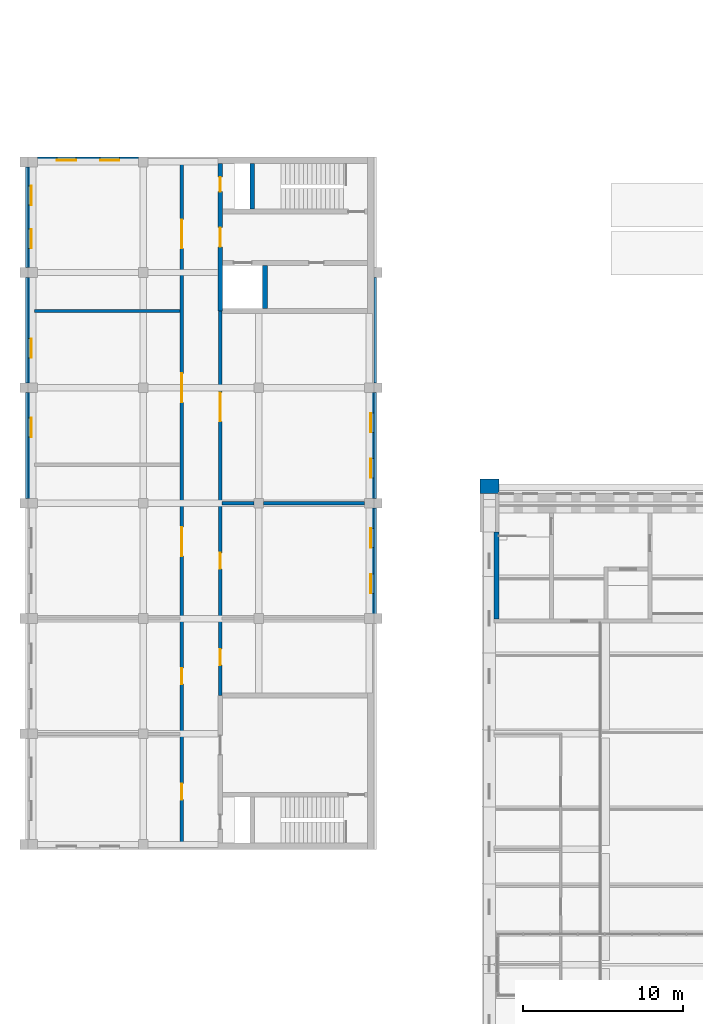
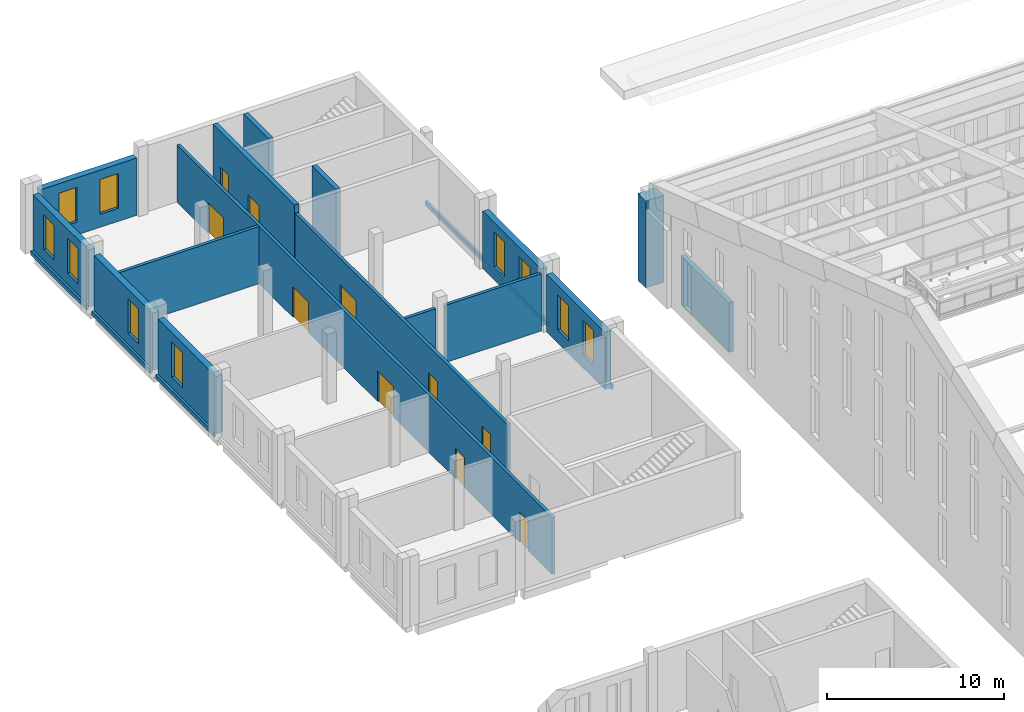
# One storey, part 130 of 149: 22 walls, 10 doors, 10 windows, 20 openings.
"""IFC4 building model written with IfcOpenShell, lengths in metres."""

from ifc_helpers import new_model, si_unit, direction, frame, frame_2d, origin, place, context, subcontext, project, spatial, rectangle, extrude, material, layer, layer_set, type_object, element, fill, save


model = new_model("IFC4")

# Units and contexts
model_context = context("Model", 3, precision=1e-05, world=origin(), true_north=direction((0.0, 1.0)))
body_context = subcontext(model_context, "Body", "Model", "MODEL_VIEW")
ifc_project = project(units=[si_unit("LENGTHUNIT", "METRE"), si_unit("AREAUNIT", "SQUARE_METRE"), si_unit("VOLUMEUNIT", "CUBIC_METRE"), si_unit("PLANEANGLEUNIT", "RADIAN"), si_unit("MASSUNIT", "GRAM", prefix="KILO")], contexts=[model_context])

# Site, building, storey
site_placement = place(None, origin())
site = spatial("IfcSite", under=ifc_project, at=site_placement, CompositionType="ELEMENT")
building_placement = place(site_placement, origin())
building = spatial("IfcBuilding", under=site, at=building_placement, Name="Alderwick Market Hall", CompositionType="ELEMENT")
storey_placement = place(building_placement, frame((0.0, 0.0, 9.60009765625)))
storey = spatial("IfcBuildingStorey", under=building, at=storey_placement, Name="L01", CompositionType="ELEMENT", Elevation=9.60009765625)

# Wall, openings, windows
ifc_material_1 = material(Name="Face brick", Category="masonry")
ifc_layer_1 = layer(ifc_material_1, 0.39990234375)
ifc_layer_set_1 = layer_set([ifc_layer_1], Name="Face brick")
wall_type_1 = type_object("IfcWallType", Name="B Brick Cavity Wall 400", PredefinedType="SOLIDWALL", material=ifc_layer_set_1)
wall_1_placement = place(storey_placement, frame((22.199951171875, 129.39990234375, 0.0), z_axis=(0.0, 0.0, 1.0), x_axis=(1.0, 0.0, 0.0)))
wall_1 = element("IfcWall", 1, at=wall_1_placement, inside=storey, type_object=wall_type_1, Name="B.N.wall.L01.017", PredefinedType="SOLIDWALL", context=body_context, shape_type="SweptSolid", body=[
    extrude(rectangle(XDim=6.300048828125, YDim=0.39990234375, at=frame_2d((3.14990234375, 0.0))), origin(), (0.0, 0.0, 1.0), 3.949951171875),
])
opening_1_placement = place(wall_1_placement, frame((1.199951171875, 0.0, 0.89990234375)))
opening_1 = element("IfcOpeningElement", 2, at=opening_1_placement, cuts=wall_1, Name="Opening B-W032", PredefinedType="OPENING", context=body_context, shape_type="SweptSolid", body=[
    extrude(rectangle(XDim=1.199951171875, YDim=2.39990234375, at=frame_2d((0.60009765625, 1.199951171875))), frame((0.0, 0.2099609375, 0.0), z_axis=(0.0, -1.0, 0.0), x_axis=(1.0, 0.0, 0.0)), (0.0, 0.0, 1.0), 0.419921875),
])
opening_2_placement = place(wall_1_placement, frame((3.89990234375, 0.0, 0.89990234375)))
opening_2 = element("IfcOpeningElement", 3, at=opening_2_placement, cuts=wall_1, Name="Opening B-W033", PredefinedType="OPENING", context=body_context, shape_type="SweptSolid", body=[
    extrude(rectangle(XDim=1.199951171875, YDim=2.39990234375, at=frame_2d((0.60009765625, 1.199951171875))), frame((0.0, 0.2099609375, 0.0), z_axis=(0.0, -1.0, 0.0), x_axis=(1.0, 0.0, 0.0)), (0.0, 0.0, 1.0), 0.419921875),
])
ifc_material_2 = material(Name="Aluminium frame", Category="aluminium")
window_type = type_object("IfcWindowType", Name="B Piano Nobile Window 1200x2400", PartitioningType="SINGLE_PANEL", PredefinedType="WINDOW", material=ifc_material_2)
window_1_placement = place(opening_1_placement, origin())
window_1 = element("IfcWindow", 4, at=window_1_placement, inside=storey, type_object=window_type, Name="Window B-W032", OverallHeight=2.39990234375, OverallWidth=1.199951171875, PartitioningType="SINGLE_PANEL", PredefinedType="WINDOW", context=body_context, shape_type="SweptSolid", body=[
    extrude(rectangle(XDim=1.199951171875, YDim=2.39990234375, at=frame_2d((0.60009765625, 1.199951171875))), frame((0.0, 0.030029296875, 0.0), z_axis=(0.0, -1.0, 0.0), x_axis=(1.0, 0.0, 0.0)), (0.0, 0.0, 1.0), 0.06005859375),
])
fill(opening_1, window_1)
window_2_placement = place(opening_2_placement, origin())
window_2 = element("IfcWindow", 5, at=window_2_placement, inside=storey, type_object=window_type, Name="Window B-W033", OverallHeight=2.39990234375, OverallWidth=1.199951171875, PartitioningType="SINGLE_PANEL", PredefinedType="WINDOW", context=body_context, shape_type="SweptSolid", body=[
    extrude(rectangle(XDim=1.199951171875, YDim=2.39990234375, at=frame_2d((0.60009765625, 1.199951171875))), frame((0.0, 0.030029296875, 0.0), z_axis=(0.0, -1.0, 0.0), x_axis=(1.0, 0.0, 0.0)), (0.0, 0.0, 1.0), 0.06005859375),
])
fill(opening_2, window_2)

# Wall, opening, window
wall_2_placement = place(storey_placement, frame((21.800048828125, 108.300048828125, 0.0), z_axis=(0.0, 0.0, 1.0), x_axis=(0.0, 1.0, 0.0)))
wall_2 = element("IfcWall", 6, at=wall_2_placement, inside=storey, type_object=wall_type_1, Name="B.N.wall.L01.022", PredefinedType="SOLIDWALL", context=body_context, shape_type="SweptSolid", body=[
    extrude(rectangle(XDim=6.599853515625, YDim=0.39990234375, at=frame_2d((3.2998046875, 0.0))), origin(), (0.0, 0.0, 1.0), 3.949951171875),
])
opening_3_placement = place(wall_2_placement, frame((3.824951171875, 0.0, 0.89990234375)))
opening_3 = element("IfcOpeningElement", 7, at=opening_3_placement, cuts=wall_2, Name="Opening B-W040", PredefinedType="OPENING", context=body_context, shape_type="SweptSolid", body=[
    extrude(rectangle(XDim=1.199951171875, YDim=2.39990234375, at=frame_2d((0.60009765625, 1.199951171875))), frame((0.0, 0.2099609375, 0.0), z_axis=(0.0, -1.0, 0.0), x_axis=(1.0, 0.0, 0.0)), (0.0, 0.0, 1.0), 0.419921875),
])
window_3_placement = place(opening_3_placement, origin())
window_3 = element("IfcWindow", 8, at=window_3_placement, inside=storey, type_object=window_type, Name="Window B-W040", OverallHeight=2.39990234375, OverallWidth=1.199951171875, PartitioningType="SINGLE_PANEL", PredefinedType="WINDOW", context=body_context, shape_type="SweptSolid", body=[
    extrude(rectangle(XDim=1.199951171875, YDim=2.39990234375, at=frame_2d((0.60009765625, 1.199951171875))), frame((0.0, 0.030029296875, 0.0), z_axis=(0.0, -1.0, 0.0), x_axis=(1.0, 0.0, 0.0)), (0.0, 0.0, 1.0), 0.06005859375),
])
fill(opening_3, window_3)

wall_3_placement = place(storey_placement, frame((21.800048828125, 115.5, 0.0), z_axis=(0.0, 0.0, 1.0), x_axis=(0.0, 1.0, 0.0)))
wall_3 = element("IfcWall", 9, at=wall_3_placement, inside=storey, type_object=wall_type_1, Name="B.N.wall.L01.023", PredefinedType="SOLIDWALL", context=body_context, shape_type="SweptSolid", body=[
    extrude(rectangle(XDim=6.60009765625, YDim=0.39990234375, at=frame_2d((3.300048828125, 0.0))), origin(), (0.0, 0.0, 1.0), 3.949951171875),
])
opening_4_placement = place(wall_3_placement, frame((1.574951171875, 0.0, 0.89990234375)))
opening_4 = element("IfcOpeningElement", 10, at=opening_4_placement, cuts=wall_3, Name="Opening B-W041", PredefinedType="OPENING", context=body_context, shape_type="SweptSolid", body=[
    extrude(rectangle(XDim=1.199951171875, YDim=2.39990234375, at=frame_2d((0.60009765625, 1.199951171875))), frame((0.0, 0.2099609375, 0.0), z_axis=(0.0, -1.0, 0.0), x_axis=(1.0, 0.0, 0.0)), (0.0, 0.0, 1.0), 0.419921875),
])
window_4_placement = place(opening_4_placement, origin())
window_4 = element("IfcWindow", 11, at=window_4_placement, inside=storey, type_object=window_type, Name="Window B-W041", OverallHeight=2.39990234375, OverallWidth=1.199951171875, PartitioningType="SINGLE_PANEL", PredefinedType="WINDOW", context=body_context, shape_type="SweptSolid", body=[
    extrude(rectangle(XDim=1.199951171875, YDim=2.39990234375, at=frame_2d((0.60009765625, 1.199951171875))), frame((0.0, 0.030029296875, 0.0), z_axis=(0.0, -1.0, 0.0), x_axis=(1.0, 0.0, 0.0)), (0.0, 0.0, 1.0), 0.06005859375),
])
fill(opening_4, window_4)

# Wall, openings, windows
wall_4_placement = place(storey_placement, frame((21.800048828125, 122.699951171875, 0.0), z_axis=(0.0, 0.0, 1.0), x_axis=(0.0, 1.0, 0.0)))
wall_4 = element("IfcWall", 12, at=wall_4_placement, inside=storey, type_object=wall_type_1, Name="B.N.wall.L01.024", PredefinedType="SOLIDWALL", context=body_context, shape_type="SweptSolid", body=[
    extrude(rectangle(XDim=6.300048828125, YDim=0.39990234375, at=frame_2d((3.14990234375, 0.0))), origin(), (0.0, 0.0, 1.0), 3.949951171875),
])
opening_5_placement = place(wall_4_placement, frame((1.199951171875, 0.0, 0.89990234375)))
opening_5 = element("IfcOpeningElement", 13, at=opening_5_placement, cuts=wall_4, Name="Opening B-W042", PredefinedType="OPENING", context=body_context, shape_type="SweptSolid", body=[
    extrude(rectangle(XDim=1.199951171875, YDim=2.39990234375, at=frame_2d((0.60009765625, 1.199951171875))), frame((0.0, 0.2099609375, 0.0), z_axis=(0.0, -1.0, 0.0), x_axis=(1.0, 0.0, 0.0)), (0.0, 0.0, 1.0), 0.419921875),
])
opening_6_placement = place(wall_4_placement, frame((3.89990234375, 0.0, 0.89990234375)))
opening_6 = element("IfcOpeningElement", 14, at=opening_6_placement, cuts=wall_4, Name="Opening B-W043", PredefinedType="OPENING", context=body_context, shape_type="SweptSolid", body=[
    extrude(rectangle(XDim=1.199951171875, YDim=2.39990234375, at=frame_2d((0.60009765625, 1.199951171875))), frame((0.0, 0.2099609375, 0.0), z_axis=(0.0, -1.0, 0.0), x_axis=(1.0, 0.0, 0.0)), (0.0, 0.0, 1.0), 0.419921875),
])
window_5_placement = place(opening_5_placement, origin())
window_5 = element("IfcWindow", 15, at=window_5_placement, inside=storey, type_object=window_type, Name="Window B-W042", OverallHeight=2.39990234375, OverallWidth=1.199951171875, PartitioningType="SINGLE_PANEL", PredefinedType="WINDOW", context=body_context, shape_type="SweptSolid", body=[
    extrude(rectangle(XDim=1.199951171875, YDim=2.39990234375, at=frame_2d((0.60009765625, 1.199951171875))), frame((0.0, 0.030029296875, 0.0), z_axis=(0.0, -1.0, 0.0), x_axis=(1.0, 0.0, 0.0)), (0.0, 0.0, 1.0), 0.06005859375),
])
fill(opening_5, window_5)
window_6_placement = place(opening_6_placement, origin())
window_6 = element("IfcWindow", 16, at=window_6_placement, inside=storey, type_object=window_type, Name="Window B-W043", OverallHeight=2.39990234375, OverallWidth=1.199951171875, PartitioningType="SINGLE_PANEL", PredefinedType="WINDOW", context=body_context, shape_type="SweptSolid", body=[
    extrude(rectangle(XDim=1.199951171875, YDim=2.39990234375, at=frame_2d((0.60009765625, 1.199951171875))), frame((0.0, 0.030029296875, 0.0), z_axis=(0.0, -1.0, 0.0), x_axis=(1.0, 0.0, 0.0)), (0.0, 0.0, 1.0), 0.06005859375),
])
fill(opening_6, window_6)

wall_5_placement = place(storey_placement, frame((43.0, 101.10009765625, 0.0), z_axis=(0.0, 0.0, 1.0), x_axis=(0.0, 1.0, 0.0)))
wall_5 = element("IfcWall", 17, at=wall_5_placement, inside=storey, type_object=wall_type_1, Name="B.N.wall.L01.033", PredefinedType="SOLIDWALL", context=body_context, shape_type="SweptSolid", body=[
    extrude(rectangle(XDim=6.599853515625, YDim=0.39990234375, at=frame_2d((3.2998046875, 0.0))), origin(), (0.0, 0.0, 1.0), 3.949951171875),
])
opening_7_placement = place(wall_5_placement, frame((1.27490234375, 0.0, 0.89990234375)))
opening_7 = element("IfcOpeningElement", 18, at=opening_7_placement, cuts=wall_5, Name="Opening B-W044", PredefinedType="OPENING", context=body_context, shape_type="SweptSolid", body=[
    extrude(rectangle(XDim=1.199951171875, YDim=2.39990234375, at=frame_2d((0.60009765625, 1.199951171875))), frame((0.0, 0.2099609375, 0.0), z_axis=(0.0, -1.0, 0.0), x_axis=(1.0, 0.0, 0.0)), (0.0, 0.0, 1.0), 0.419921875),
])
opening_8_placement = place(wall_5_placement, frame((4.125, 0.0, 0.89990234375)))
opening_8 = element("IfcOpeningElement", 19, at=opening_8_placement, cuts=wall_5, Name="Opening B-W045", PredefinedType="OPENING", context=body_context, shape_type="SweptSolid", body=[
    extrude(rectangle(XDim=1.199951171875, YDim=2.39990234375, at=frame_2d((0.60009765625, 1.199951171875))), frame((0.0, 0.2099609375, 0.0), z_axis=(0.0, -1.0, 0.0), x_axis=(1.0, 0.0, 0.0)), (0.0, 0.0, 1.0), 0.419921875),
])
window_7_placement = place(opening_7_placement, origin())
window_7 = element("IfcWindow", 20, at=window_7_placement, inside=storey, type_object=window_type, Name="Window B-W044", OverallHeight=2.39990234375, OverallWidth=1.199951171875, PartitioningType="SINGLE_PANEL", PredefinedType="WINDOW", context=body_context, shape_type="SweptSolid", body=[
    extrude(rectangle(XDim=1.199951171875, YDim=2.39990234375, at=frame_2d((0.60009765625, 1.199951171875))), frame((0.0, 0.030029296875, 0.0), z_axis=(0.0, -1.0, 0.0), x_axis=(1.0, 0.0, 0.0)), (0.0, 0.0, 1.0), 0.06005859375),
])
fill(opening_7, window_7)
window_8_placement = place(opening_8_placement, origin())
window_8 = element("IfcWindow", 21, at=window_8_placement, inside=storey, type_object=window_type, Name="Window B-W045", OverallHeight=2.39990234375, OverallWidth=1.199951171875, PartitioningType="SINGLE_PANEL", PredefinedType="WINDOW", context=body_context, shape_type="SweptSolid", body=[
    extrude(rectangle(XDim=1.199951171875, YDim=2.39990234375, at=frame_2d((0.60009765625, 1.199951171875))), frame((0.0, 0.030029296875, 0.0), z_axis=(0.0, -1.0, 0.0), x_axis=(1.0, 0.0, 0.0)), (0.0, 0.0, 1.0), 0.06005859375),
])
fill(opening_8, window_8)

wall_6_placement = place(storey_placement, frame((43.0, 108.300048828125, 0.0), z_axis=(0.0, 0.0, 1.0), x_axis=(0.0, 1.0, 0.0)))
wall_6 = element("IfcWall", 22, at=wall_6_placement, inside=storey, type_object=wall_type_1, Name="B.N.wall.L01.034", PredefinedType="SOLIDWALL", context=body_context, shape_type="SweptSolid", body=[
    extrude(rectangle(XDim=6.599853515625, YDim=0.39990234375, at=frame_2d((3.2998046875, 0.0))), origin(), (0.0, 0.0, 1.0), 3.949951171875),
])
opening_9_placement = place(wall_6_placement, frame((1.27490234375, 0.0, 0.89990234375)))
opening_9 = element("IfcOpeningElement", 23, at=opening_9_placement, cuts=wall_6, Name="Opening B-W046", PredefinedType="OPENING", context=body_context, shape_type="SweptSolid", body=[
    extrude(rectangle(XDim=1.199951171875, YDim=2.39990234375, at=frame_2d((0.60009765625, 1.199951171875))), frame((0.0, 0.2099609375, 0.0), z_axis=(0.0, -1.0, 0.0), x_axis=(1.0, 0.0, 0.0)), (0.0, 0.0, 1.0), 0.419921875),
])
opening_10_placement = place(wall_6_placement, frame((4.125, 0.0, 0.89990234375)))
opening_10 = element("IfcOpeningElement", 24, at=opening_10_placement, cuts=wall_6, Name="Opening B-W047", PredefinedType="OPENING", context=body_context, shape_type="SweptSolid", body=[
    extrude(rectangle(XDim=1.199951171875, YDim=2.39990234375, at=frame_2d((0.60009765625, 1.199951171875))), frame((0.0, 0.2099609375, 0.0), z_axis=(0.0, -1.0, 0.0), x_axis=(1.0, 0.0, 0.0)), (0.0, 0.0, 1.0), 0.419921875),
])
window_9_placement = place(opening_9_placement, origin())
window_9 = element("IfcWindow", 25, at=window_9_placement, inside=storey, type_object=window_type, Name="Window B-W046", OverallHeight=2.39990234375, OverallWidth=1.199951171875, PartitioningType="SINGLE_PANEL", PredefinedType="WINDOW", context=body_context, shape_type="SweptSolid", body=[
    extrude(rectangle(XDim=1.199951171875, YDim=2.39990234375, at=frame_2d((0.60009765625, 1.199951171875))), frame((0.0, 0.030029296875, 0.0), z_axis=(0.0, -1.0, 0.0), x_axis=(1.0, 0.0, 0.0)), (0.0, 0.0, 1.0), 0.06005859375),
])
fill(opening_9, window_9)
window_10_placement = place(opening_10_placement, origin())
window_10 = element("IfcWindow", 26, at=window_10_placement, inside=storey, type_object=window_type, Name="Window B-W047", OverallHeight=2.39990234375, OverallWidth=1.199951171875, PartitioningType="SINGLE_PANEL", PredefinedType="WINDOW", context=body_context, shape_type="SweptSolid", body=[
    extrude(rectangle(XDim=1.199951171875, YDim=2.39990234375, at=frame_2d((0.60009765625, 1.199951171875))), frame((0.0, 0.030029296875, 0.0), z_axis=(0.0, -1.0, 0.0), x_axis=(1.0, 0.0, 0.0)), (0.0, 0.0, 1.0), 0.06005859375),
])
fill(opening_10, window_10)

# Walls
ifc_material_3 = material(Name="Cast stone 5000 psi", Category="masonry")
ifc_layer_2 = layer(ifc_material_3, 0.14990234375)
ifc_layer_set_2 = layer_set([ifc_layer_2], Name="Cast stone 5000 psi")
wall_type_2 = type_object("IfcWallType", Name="B Cast Stone String Course 150", PredefinedType="SOLIDWALL", material=ifc_layer_set_2)
wall_7_placement = place(storey_placement, frame((21.52490234375, 108.300048828125, -0.150146484375), z_axis=(0.0, 0.0, 1.0), x_axis=(0.0, 1.0, 0.0)))
element("IfcWall", 27, at=wall_7_placement, inside=storey, type_object=wall_type_2, Name="B.N.string.W.04", PredefinedType="SOLIDWALL", context=body_context, shape_type="SweptSolid", body=[
    extrude(rectangle(XDim=6.599853515625, YDim=0.14990234375, at=frame_2d((3.2998046875, 0.0))), origin(), (0.0, 0.0, 1.0), 0.300048828125),
])
wall_8_placement = place(storey_placement, frame((21.52490234375, 115.5, -0.150146484375), z_axis=(0.0, 0.0, 1.0), x_axis=(0.0, 1.0, 0.0)))
element("IfcWall", 28, at=wall_8_placement, inside=storey, type_object=wall_type_2, Name="B.N.string.W.05", PredefinedType="SOLIDWALL", context=body_context, shape_type="SweptSolid", body=[
    extrude(rectangle(XDim=6.60009765625, YDim=0.14990234375, at=frame_2d((3.300048828125, 0.0))), origin(), (0.0, 0.0, 1.0), 0.300048828125),
])
wall_9_placement = place(storey_placement, frame((21.52490234375, 122.699951171875, -0.150146484375), z_axis=(0.0, 0.0, 1.0), x_axis=(0.0, 1.0, 0.0)))
element("IfcWall", 29, at=wall_9_placement, inside=storey, type_object=wall_type_2, Name="B.N.string.W.06", PredefinedType="SOLIDWALL", context=body_context, shape_type="SweptSolid", body=[
    extrude(rectangle(XDim=6.300048828125, YDim=0.14990234375, at=frame_2d((3.14990234375, 0.0))), origin(), (0.0, 0.0, 1.0), 0.300048828125),
])
for number, where, z_axis, x_axis, name in (
    (30, (43.27490234375, 101.10009765625, -0.150146484375), (0.0, 0.0, 1.0), (0.0, 1.0, 0.0), "B.N.string.E.01"),
    (31, (43.27490234375, 108.300048828125, -0.150146484375), (0.0, 0.0, 1.0), (0.0, 1.0, 0.0), "B.N.string.E.02"),
):
    element("IfcWall", number, at=place(storey_placement, frame(where, z_axis=z_axis, x_axis=x_axis)), inside=storey, type_object=wall_type_2, Name=name, PredefinedType="SOLIDWALL", context=body_context, shape_type="SweptSolid", body=[
        extrude(rectangle(XDim=6.599853515625, YDim=0.14990234375, at=frame_2d((3.2998046875, 0.0))), origin(), (0.0, 0.0, 1.0), 0.300048828125),
    ])
wall_10_placement = place(storey_placement, frame((43.27490234375, 115.5, -0.150146484375), z_axis=(0.0, 0.0, 1.0), x_axis=(0.0, 1.0, 0.0)))
element("IfcWall", 32, at=wall_10_placement, inside=storey, type_object=wall_type_2, Name="B.N.string.E.03", PredefinedType="SOLIDWALL", context=body_context, shape_type="SweptSolid", body=[
    extrude(rectangle(XDim=6.60009765625, YDim=0.14990234375, at=frame_2d((3.300048828125, 0.0))), origin(), (0.0, 0.0, 1.0), 0.300048828125),
])
ifc_material_4 = material(Name="Concrete masonry 3000 psi", Category="masonry")
ifc_layer_3 = layer(ifc_material_4, 0.199951171875)
ifc_layer_set_3 = layer_set([ifc_layer_3], Name="Concrete masonry 3000 psi")
wall_type_3 = type_object("IfcWallType", Name="B Masonry Partition 200", PredefinedType="PARTITIONING", material=ifc_layer_set_3)
wall_11_placement = place(storey_placement, frame((33.699951171875, 108.0, 0.0), z_axis=(0.0, 0.0, 1.0), x_axis=(1.0, 0.0, 0.0)))
element("IfcWall", 33, at=wall_11_placement, inside=storey, type_object=wall_type_3, Name="B.N.wall.L01.010", PredefinedType="PARTITIONING", context=body_context, shape_type="SweptSolid", body=[
    extrude(rectangle(XDim=2.0, YDim=0.199951171875, at=frame_2d((1.0, 0.0))), origin(), (0.0, 0.0, 1.0), 3.949951171875),
])
wall_12_placement = place(storey_placement, frame((36.300048828125, 108.0, 0.0), z_axis=(0.0, 0.0, 1.0), x_axis=(1.0, 0.0, 0.0)))
element("IfcWall", 34, at=wall_12_placement, inside=storey, type_object=wall_type_3, Name="B.N.wall.L01.011", PredefinedType="PARTITIONING", context=body_context, shape_type="SweptSolid", body=[
    extrude(rectangle(XDim=6.300048828125, YDim=0.199951171875, at=frame_2d((3.14990234375, 0.0))), origin(), (0.0, 0.0, 1.0), 3.949951171875),
])
wall_13_placement = place(storey_placement, frame((22.0, 120.0, 0.0), z_axis=(0.0, 0.0, 1.0), x_axis=(1.0, 0.0, 0.0)))
element("IfcWall", 35, at=wall_13_placement, inside=storey, type_object=wall_type_3, Name="B.N.wall.L01.013", PredefinedType="PARTITIONING", context=body_context, shape_type="SweptSolid", body=[
    extrude(rectangle(XDim=9.10009765625, YDim=0.199951171875, at=frame_2d((4.550048828125, 0.0))), origin(), (0.0, 0.0, 1.0), 3.949951171875),
])

# Wall, openings, doors
wall_14_placement = place(storey_placement, frame((31.199951171875, 86.800048828125, 0.0), z_axis=(0.0, 0.0, 1.0), x_axis=(0.0, 1.0, 0.0)))
wall_14 = element("IfcWall", 36, at=wall_14_placement, inside=storey, type_object=wall_type_3, Name="B.N.wall.L01.025", PredefinedType="PARTITIONING", context=body_context, shape_type="SweptSolid", body=[
    extrude(rectangle(XDim=42.39990234375, YDim=0.199951171875, at=frame_2d((21.199951171875, 0.0))), origin(), (0.0, 0.0, 1.0), 3.949951171875),
])
opening_11_placement = place(wall_14_placement, frame((37.10009765625, 0.0, 0.0)))
opening_11 = element("IfcOpeningElement", 37, at=opening_11_placement, cuts=wall_14, Name="Opening B-D049", PredefinedType="OPENING", context=body_context, shape_type="SweptSolid", body=[
    extrude(rectangle(XDim=1.800048828125, YDim=2.10009765625, at=frame_2d((0.89990234375, 1.050048828125))), frame((0.0, 0.10986328125, 0.0), z_axis=(0.0, -1.0, 0.0), x_axis=(1.0, 0.0, 0.0)), (0.0, 0.0, 1.0), 0.219970703125),
])
opening_12_placement = place(wall_14_placement, frame((27.5, 0.0, 0.0)))
opening_12 = element("IfcOpeningElement", 38, at=opening_12_placement, cuts=wall_14, Name="Opening B-D050", PredefinedType="OPENING", context=body_context, shape_type="SweptSolid", body=[
    extrude(rectangle(XDim=1.800048828125, YDim=2.10009765625, at=frame_2d((0.89990234375, 1.050048828125))), frame((0.0, 0.10986328125, 0.0), z_axis=(0.0, -1.0, 0.0), x_axis=(1.0, 0.0, 0.0)), (0.0, 0.0, 1.0), 0.219970703125),
])
opening_13_placement = place(wall_14_placement, frame((17.89990234375, 0.0, 0.0)))
opening_13 = element("IfcOpeningElement", 39, at=opening_13_placement, cuts=wall_14, Name="Opening B-D051", PredefinedType="OPENING", context=body_context, shape_type="SweptSolid", body=[
    extrude(rectangle(XDim=1.800048828125, YDim=2.10009765625, at=frame_2d((0.89990234375, 1.050048828125))), frame((0.0, 0.10986328125, 0.0), z_axis=(0.0, -1.0, 0.0), x_axis=(1.0, 0.0, 0.0)), (0.0, 0.0, 1.0), 0.219970703125),
])
opening_14_placement = place(wall_14_placement, frame((9.89990234375, 0.0, 0.0)))
opening_14 = element("IfcOpeningElement", 40, at=opening_14_placement, cuts=wall_14, Name="Opening B-D052", PredefinedType="OPENING", context=body_context, shape_type="SweptSolid", body=[
    extrude(rectangle(XDim=1.0, YDim=2.10009765625, at=frame_2d((0.5, 1.050048828125))), frame((0.0, 0.10986328125, 0.0), z_axis=(0.0, -1.0, 0.0), x_axis=(1.0, 0.0, 0.0)), (0.0, 0.0, 1.0), 0.219970703125),
])
opening_15_placement = place(wall_14_placement, frame((2.699951171875, 0.0, 0.0)))
opening_15 = element("IfcOpeningElement", 41, at=opening_15_placement, cuts=wall_14, Name="Opening B-D053", PredefinedType="OPENING", context=body_context, shape_type="SweptSolid", body=[
    extrude(rectangle(XDim=1.0, YDim=2.10009765625, at=frame_2d((0.5, 1.050048828125))), frame((0.0, 0.10986328125, 0.0), z_axis=(0.0, -1.0, 0.0), x_axis=(1.0, 0.0, 0.0)), (0.0, 0.0, 1.0), 0.219970703125),
])
ifc_material_5 = material(Name="Hollow metal door and frame")
door_type_1 = type_object("IfcDoorType", Name="B Door 1000x2100", OperationType="SINGLE_SWING_LEFT", PredefinedType="DOOR", material=ifc_material_5)
door_1_placement = place(opening_14_placement, origin())
door_1 = element("IfcDoor", 42, at=door_1_placement, inside=storey, type_object=door_type_1, Name="Locker Room door", OperationType="SINGLE_SWING_RIGHT", OverallHeight=2.10009765625, OverallWidth=1.0, PredefinedType="DOOR", context=body_context, shape_type="SweptSolid", body=[
    extrude(rectangle(XDim=1.0, YDim=2.10009765625, at=frame_2d((0.5, 1.050048828125))), frame((0.0, 0.02490234375, 0.0), z_axis=(0.0, -1.0, 0.0), x_axis=(1.0, 0.0, 0.0)), (0.0, 0.0, 1.0), 0.050048828125),
])
fill(opening_14, door_1)
door_2_placement = place(opening_15_placement, origin())
door_2 = element("IfcDoor", 43, at=door_2_placement, inside=storey, type_object=door_type_1, Name="Staff WC door", OperationType="SINGLE_SWING_LEFT", OverallHeight=2.10009765625, OverallWidth=1.0, PredefinedType="DOOR", context=body_context, shape_type="SweptSolid", body=[
    extrude(rectangle(XDim=1.0, YDim=2.10009765625, at=frame_2d((0.5, 1.050048828125))), frame((0.0, 0.02490234375, 0.0), z_axis=(0.0, -1.0, 0.0), x_axis=(1.0, 0.0, 0.0)), (0.0, 0.0, 1.0), 0.050048828125),
])
fill(opening_15, door_2)
door_type_2 = type_object("IfcDoorType", Name="B Double Door 1800x2100", OperationType="DOUBLE_DOOR_DOUBLE_SWING", PredefinedType="DOOR", material=ifc_material_5)
door_3_placement = place(opening_11_placement, origin())
door_3 = element("IfcDoor", 44, at=door_3_placement, inside=storey, type_object=door_type_2, Name="Craft Workshop door", OperationType="DOUBLE_DOOR_DOUBLE_SWING", OverallHeight=2.10009765625, OverallWidth=1.800048828125, PredefinedType="DOOR", context=body_context, shape_type="SweptSolid", body=[
    extrude(rectangle(XDim=1.800048828125, YDim=2.10009765625, at=frame_2d((0.89990234375, 1.050048828125))), frame((0.0, 0.02490234375, 0.0), z_axis=(0.0, -1.0, 0.0), x_axis=(1.0, 0.0, 0.0)), (0.0, 0.0, 1.0), 0.050048828125),
])
fill(opening_11, door_3)
door_4_placement = place(opening_12_placement, origin())
door_4 = element("IfcDoor", 45, at=door_4_placement, inside=storey, type_object=door_type_2, Name="Craft Workshop door", OperationType="DOUBLE_DOOR_DOUBLE_SWING", OverallHeight=2.10009765625, OverallWidth=1.800048828125, PredefinedType="DOOR", context=body_context, shape_type="SweptSolid", body=[
    extrude(rectangle(XDim=1.800048828125, YDim=2.10009765625, at=frame_2d((0.89990234375, 1.050048828125))), frame((0.0, 0.02490234375, 0.0), z_axis=(0.0, -1.0, 0.0), x_axis=(1.0, 0.0, 0.0)), (0.0, 0.0, 1.0), 0.050048828125),
])
fill(opening_12, door_4)
door_5_placement = place(opening_13_placement, origin())
door_5 = element("IfcDoor", 46, at=door_5_placement, inside=storey, type_object=door_type_2, Name="Craft Workshop door", OperationType="DOUBLE_DOOR_DOUBLE_SWING", OverallHeight=2.10009765625, OverallWidth=1.800048828125, PredefinedType="DOOR", context=body_context, shape_type="SweptSolid", body=[
    extrude(rectangle(XDim=1.800048828125, YDim=2.10009765625, at=frame_2d((0.89990234375, 1.050048828125))), frame((0.0, 0.02490234375, 0.0), z_axis=(0.0, -1.0, 0.0), x_axis=(1.0, 0.0, 0.0)), (0.0, 0.0, 1.0), 0.050048828125),
])
fill(opening_13, door_5)

wall_15_placement = place(storey_placement, frame((33.60009765625, 96.0, 0.0), z_axis=(0.0, 0.0, 1.0), x_axis=(0.0, 1.0, 0.0)))
wall_15 = element("IfcWall", 47, at=wall_15_placement, inside=storey, type_object=wall_type_3, Name="B.N.wall.L01.027", PredefinedType="PARTITIONING", context=body_context, shape_type="SweptSolid", body=[
    extrude(rectangle(XDim=24.0, YDim=0.199951171875, at=frame_2d((12.0, 0.0))), origin(), (0.0, 0.0, 1.0), 3.949951171875),
])
opening_16_placement = place(wall_15_placement, frame((17.10009765625, 0.0, 0.0)))
opening_16 = element("IfcOpeningElement", 48, at=opening_16_placement, cuts=wall_15, Name="Opening B-D054", PredefinedType="OPENING", context=body_context, shape_type="SweptSolid", body=[
    extrude(rectangle(XDim=1.800048828125, YDim=2.10009765625, at=frame_2d((0.89990234375, 1.050048828125))), frame((0.0, 0.10986328125, 0.0), z_axis=(0.0, -1.0, 0.0), x_axis=(1.0, 0.0, 0.0)), (0.0, 0.0, 1.0), 0.219970703125),
])
opening_17_placement = place(wall_15_placement, frame((7.89990234375, 0.0, 0.0)))
opening_17 = element("IfcOpeningElement", 49, at=opening_17_placement, cuts=wall_15, Name="Opening B-D055", PredefinedType="OPENING", context=body_context, shape_type="SweptSolid", body=[
    extrude(rectangle(XDim=1.0, YDim=2.10009765625, at=frame_2d((0.5, 1.050048828125))), frame((0.0, 0.10986328125, 0.0), z_axis=(0.0, -1.0, 0.0), x_axis=(1.0, 0.0, 0.0)), (0.0, 0.0, 1.0), 0.219970703125),
])
opening_18_placement = place(wall_15_placement, frame((1.89990234375, 0.0, 0.0)))
opening_18 = element("IfcOpeningElement", 50, at=opening_18_placement, cuts=wall_15, Name="Opening B-D056", PredefinedType="OPENING", context=body_context, shape_type="SweptSolid", body=[
    extrude(rectangle(XDim=1.0, YDim=2.10009765625, at=frame_2d((0.5, 1.050048828125))), frame((0.0, 0.10986328125, 0.0), z_axis=(0.0, -1.0, 0.0), x_axis=(1.0, 0.0, 0.0)), (0.0, 0.0, 1.0), 0.219970703125),
])
door_6_placement = place(opening_17_placement, origin())
door_6 = element("IfcDoor", 51, at=door_6_placement, inside=storey, type_object=door_type_1, Name="Delivery Dispatch Office door", OperationType="SINGLE_SWING_LEFT", OverallHeight=2.10009765625, OverallWidth=1.0, PredefinedType="DOOR", context=body_context, shape_type="SweptSolid", body=[
    extrude(rectangle(XDim=1.0, YDim=2.10009765625, at=frame_2d((0.5, 1.050048828125))), frame((0.0, 0.02490234375, 0.0), z_axis=(0.0, -1.0, 0.0), x_axis=(1.0, 0.0, 0.0)), (0.0, 0.0, 1.0), 0.050048828125),
])
fill(opening_17, door_6)
door_7_placement = place(opening_18_placement, origin())
door_7 = element("IfcDoor", 52, at=door_7_placement, inside=storey, type_object=door_type_1, Name="Staff Room door", OperationType="SINGLE_SWING_RIGHT", OverallHeight=2.10009765625, OverallWidth=1.0, PredefinedType="DOOR", context=body_context, shape_type="SweptSolid", body=[
    extrude(rectangle(XDim=1.0, YDim=2.10009765625, at=frame_2d((0.5, 1.050048828125))), frame((0.0, 0.02490234375, 0.0), z_axis=(0.0, -1.0, 0.0), x_axis=(1.0, 0.0, 0.0)), (0.0, 0.0, 1.0), 0.050048828125),
])
fill(opening_18, door_7)
door_8_placement = place(opening_16_placement, origin())
door_8 = element("IfcDoor", 53, at=door_8_placement, inside=storey, type_object=door_type_2, Name="Craft Workshop door", OperationType="DOUBLE_DOOR_DOUBLE_SWING", OverallHeight=2.10009765625, OverallWidth=1.800048828125, PredefinedType="DOOR", context=body_context, shape_type="SweptSolid", body=[
    extrude(rectangle(XDim=1.800048828125, YDim=2.10009765625, at=frame_2d((0.89990234375, 1.050048828125))), frame((0.0, 0.02490234375, 0.0), z_axis=(0.0, -1.0, 0.0), x_axis=(1.0, 0.0, 0.0)), (0.0, 0.0, 1.0), 0.050048828125),
])
fill(opening_16, door_8)

ifc_material_6 = material(Name="Concrete 5000 psi (f'c 35 MPa)", Category="concrete")
ifc_layer_4 = layer(ifc_material_6, 0.300048828125)
ifc_layer_set_4 = layer_set([ifc_layer_4], Name="Concrete 5000 psi (f'c 35 MPa)")
wall_type_4 = type_object("IfcWallType", Name="B RC Core Wall 300", PredefinedType="SHEAR", material=ifc_layer_set_4)
wall_16_placement = place(storey_placement, frame((33.60009765625, 120.0, 0.0), z_axis=(0.0, 0.0, 1.0), x_axis=(0.0, 1.0, 0.0)))
wall_16 = element("IfcWall", 54, at=wall_16_placement, inside=storey, type_object=wall_type_4, Name="B.N.wall.L01.028", PredefinedType="SHEAR", context=body_context, shape_type="SweptSolid", body=[
    extrude(rectangle(XDim=9.199951171875, YDim=0.300048828125, at=frame_2d((4.60009765625, 0.0))), origin(), (0.0, 0.0, 1.0), 4.5498046875),
])
opening_19_placement = place(wall_16_placement, frame((4.0, 0.0, 0.0)))
opening_19 = element("IfcOpeningElement", 55, at=opening_19_placement, cuts=wall_16, Name="Opening B-D058", PredefinedType="OPENING", context=body_context, shape_type="SweptSolid", body=[
    extrude(rectangle(XDim=1.199951171875, YDim=2.10009765625, at=frame_2d((0.60009765625, 1.050048828125))), frame((0.0, 0.159912109375, 0.0), z_axis=(0.0, -1.0, 0.0), x_axis=(1.0, 0.0, 0.0)), (0.0, 0.0, 1.0), 0.320068359375),
])
opening_20_placement = place(wall_16_placement, frame((7.449951171875, 0.0, 0.0)))
opening_20 = element("IfcOpeningElement", 56, at=opening_20_placement, cuts=wall_16, Name="Opening B-D059", PredefinedType="OPENING", context=body_context, shape_type="SweptSolid", body=[
    extrude(rectangle(XDim=0.89990234375, YDim=2.10009765625, at=frame_2d((0.449951171875, 1.050048828125))), frame((0.0, 0.159912109375, 0.0), z_axis=(0.0, -1.0, 0.0), x_axis=(1.0, 0.0, 0.0)), (0.0, 0.0, 1.0), 0.320068359375),
])
ifc_material_7 = material(Name="Hollow metal fire door and frame")
door_type_3 = type_object("IfcDoorType", Name="B Fire Door 1200x2100", OperationType="SINGLE_SWING_LEFT", PredefinedType="DOOR", material=ifc_material_7)
door_9_placement = place(opening_19_placement, origin())
door_9 = element("IfcDoor", 57, at=door_9_placement, inside=storey, type_object=door_type_3, Name="Lobby N-1 corridor door", OperationType="SINGLE_SWING_RIGHT", OverallHeight=2.10009765625, OverallWidth=1.199951171875, PredefinedType="DOOR", context=body_context, shape_type="SweptSolid", body=[
    extrude(rectangle(XDim=1.199951171875, YDim=2.10009765625, at=frame_2d((0.60009765625, 1.050048828125))), frame((0.0, 0.02490234375, 0.0), z_axis=(0.0, -1.0, 0.0), x_axis=(1.0, 0.0, 0.0)), (0.0, 0.0, 1.0), 0.050048828125),
])
fill(opening_19, door_9)
door_type_4 = type_object("IfcDoorType", Name="B Fire Door 900x2100", OperationType="SINGLE_SWING_LEFT", PredefinedType="DOOR", material=ifc_material_7)
door_10_placement = place(opening_20_placement, origin())
door_10 = element("IfcDoor", 58, at=door_10_placement, inside=storey, type_object=door_type_4, Name="Riser N-1 access door", OperationType="SINGLE_SWING_LEFT", OverallHeight=2.10009765625, OverallWidth=0.89990234375, PredefinedType="DOOR", context=body_context, shape_type="SweptSolid", body=[
    extrude(rectangle(XDim=0.89990234375, YDim=2.10009765625, at=frame_2d((0.449951171875, 1.050048828125))), frame((0.0, 0.02490234375, 0.0), z_axis=(0.0, -1.0, 0.0), x_axis=(1.0, 0.0, 0.0)), (0.0, 0.0, 1.0), 0.050048828125),
])
fill(opening_20, door_10)

# Walls
wall_17_placement = place(storey_placement, frame((35.60009765625, 126.35009765625, 0.0), z_axis=(0.0, 0.0, 1.0), x_axis=(0.0, 1.0, 0.0)))
element("IfcWall", 59, at=wall_17_placement, inside=storey, type_object=wall_type_4, Name="B.N.wall.L01.030", PredefinedType="SHEAR", context=body_context, shape_type="SweptSolid", body=[
    extrude(rectangle(XDim=2.849853515625, YDim=0.300048828125, at=frame_2d((1.4248046875, 0.0))), origin(), (0.0, 0.0, 1.0), 4.5498046875),
])
wall_18_placement = place(storey_placement, frame((36.39990234375, 120.14990234375, 0.0), z_axis=(0.0, 0.0, 1.0), x_axis=(0.0, 1.0, 0.0)))
element("IfcWall", 60, at=wall_18_placement, inside=storey, type_object=wall_type_4, Name="B.N.wall.L01.031", PredefinedType="SHEAR", context=body_context, shape_type="SweptSolid", body=[
    extrude(rectangle(XDim=2.7001953125, YDim=0.300048828125, at=frame_2d((1.35009765625, 0.0))), origin(), (0.0, 0.0, 1.0), 4.5498046875),
])
ifc_material_8 = material(Name="Face brick masonry, ASTM C216 grade SW (f'm 17 MPa)", Category="masonry")
ifc_layer_5 = layer(ifc_material_8, 0.89990234375)
ifc_layer_set_5 = layer_set([ifc_layer_5], Name="Face brick masonry, ASTM C216 grade SW (f'm 17 MPa)")
wall_type_5 = type_object("IfcWallType", Name="H Buttress pier 900", PredefinedType="SOLIDWALL", material=ifc_layer_set_5)
wall_19_placement = place(storey_placement, frame((49.800048828125, 109.050048828125, 0.0), z_axis=(0.0, 0.0, 1.0), x_axis=(1.0, 0.0, 0.0)))
element("IfcWall", 61, at=wall_19_placement, inside=storey, type_object=wall_type_5, Name="Buttress pier N1", PredefinedType="SOLIDWALL", context=body_context, shape_type="SweptSolid", body=[
    extrude(rectangle(XDim=1.199951171875, YDim=0.89990234375, at=frame_2d((0.60009765625, 0.0))), origin(), (0.0, 0.0, 1.0), 6.0),
])
ifc_layer_6 = layer(ifc_material_6, 0.300048828125)
ifc_layer_set_6 = layer_set([ifc_layer_6], Name="Concrete 5000 psi (f'c 35 MPa)")
wall_type_6 = type_object("IfcWallType", Name="H Stair furring wall 300", PredefinedType="SOLIDWALL", material=ifc_layer_set_6)
wall_20_placement = place(storey_placement, frame((50.85009765625, 100.760009765625, 0.0), z_axis=(0.0, 0.0, 1.0), x_axis=(0.0, 1.0, 0.0)))
element("IfcWall", 62, at=wall_20_placement, inside=storey, type_object=wall_type_6, Name="Core wall H-NW", PredefinedType="SOLIDWALL", context=body_context, shape_type="SweptSolid", body=[
    extrude(rectangle(XDim=5.43994140625, YDim=0.300048828125, at=frame_2d((2.719970703125, 0.0))), origin(), (0.0, 0.0, 1.0), 3.39990234375),
])

save(model, "model.ifc")
